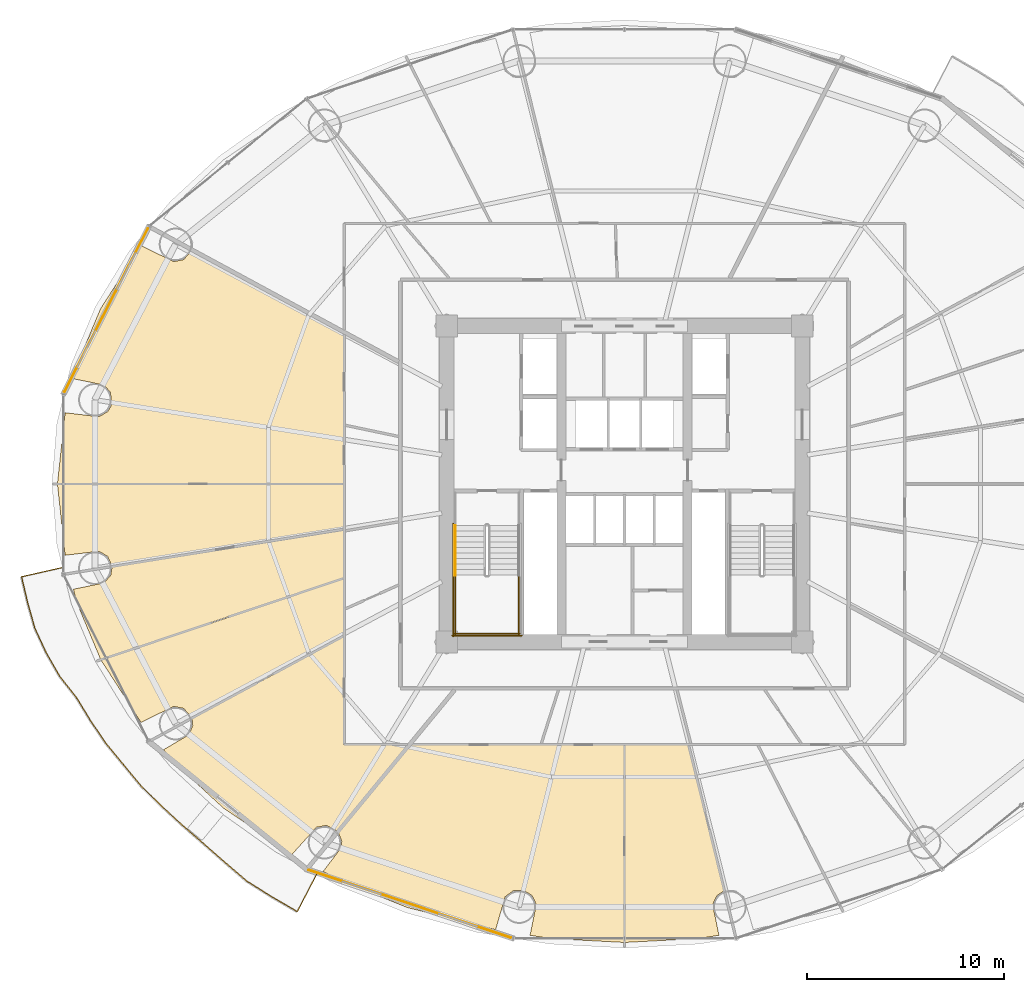
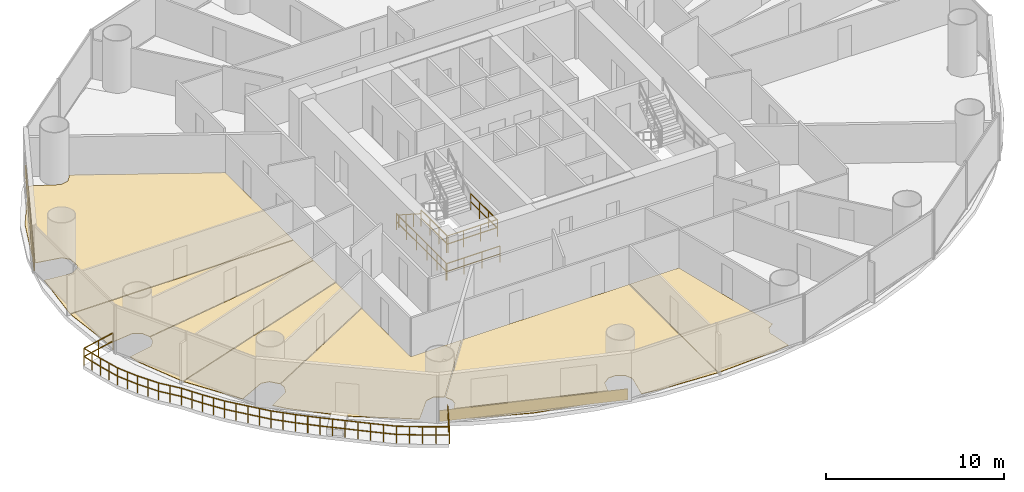
# One storey, part 26 of 29: 9 coverings, 7 railings.
"""IFC4 building model written with IfcOpenShell, lengths in metres."""

from ifc_helpers import new_model, si_unit, direction, frame, origin, origin_2d, place, context, subcontext, project, spatial, polyline, rectangle, outline, extrude, source, transform, mapped, material, layer, layer_set, type_object, element, save


model = new_model("IFC4")

# Units and contexts
model_context = context("Model", 3, precision=1e-05, world=origin(), true_north=direction((-0.2419218956, 0.970295726276)))
body_context = subcontext(model_context, "Body", "Model", "MODEL_VIEW")
ifc_project = project(units=[si_unit("LENGTHUNIT", "METRE"), si_unit("AREAUNIT", "SQUARE_METRE"), si_unit("VOLUMEUNIT", "CUBIC_METRE"), si_unit("PLANEANGLEUNIT", "RADIAN"), si_unit("MASSUNIT", "GRAM", prefix="KILO")], contexts=[model_context])

# Site, building, storey
site_placement = place(None, origin())
site = spatial("IfcSite", under=ifc_project, at=site_placement, CompositionType="ELEMENT")
building_placement = place(site_placement, origin())
building = spatial("IfcBuilding", under=site, at=building_placement, Name="Cobrevalo Terracotta Tower", CompositionType="ELEMENT")
storey_placement = place(building_placement, frame((0.0, 0.0, 45.60009765625)))
storey = spatial("IfcBuildingStorey", under=building, at=storey_placement, Name="L11", CompositionType="ELEMENT", Elevation=45.60009765625)

# Railing
ifc_material_1 = material(Name="Laminated structural glass and stainless steel", Category="steel")
railing_type_1 = type_object("IfcRailingType", Name="Balcony lobe structural glass & terracotta-cap balustrade 1180 mm", PredefinedType="BALUSTRADE", material=ifc_material_1)
railing_1_placement = place(storey_placement, frame((9.62109375, 22.5888671875, 0.0)))
element("IfcRailing", 1, at=railing_1_placement, inside=storey, type_object=railing_type_1, Name="L11 spiralling balcony lobe balustrade 2", PredefinedType="BALUSTRADE", context=body_context, shape_type="SweptSolid", body=[
    extrude(rectangle(XDim=0.048095703125, YDim=0.048095703125, at=origin_2d()), frame((0.0, 0.0, 1.15576171875), z_axis=(-0.975433352205, -0.220294746662, 0.0), x_axis=(0.220294746662, -0.975433352205, 0.0)), (0.0, 0.0, 1.0), 2.212158203125),
    extrude(rectangle(XDim=0.048095703125, YDim=0.048095703125, at=origin_2d()), frame((0.0, 0.0, 0.58984375), z_axis=(-0.975433352205, -0.220294746662, 0.0), x_axis=(0.220294746662, -0.975433352205, 0.0)), (0.0, 0.0, 1.0), 2.212158203125),
    extrude(rectangle(XDim=0.048095703125, YDim=0.048095703125, at=origin_2d()), frame((-2.15771484375, -0.4873046875, 1.15576171875), z_axis=(0.229059503109, -0.973412422376, 0.0), x_axis=(0.973412422376, 0.229059503109, 0.0)), (0.0, 0.0, 1.0), 1.349365234375),
    extrude(rectangle(XDim=0.048095703125, YDim=0.048095703125, at=origin_2d()), frame((-2.15771484375, -0.4873046875, 0.58984375), z_axis=(0.229059503109, -0.973412422376, 0.0), x_axis=(0.973412422376, 0.229059503109, 0.0)), (0.0, 0.0, 1.0), 1.349365234375),
    extrude(rectangle(XDim=0.048095703125, YDim=0.048095703125, at=origin_2d()), frame((-1.8486328125, -1.80078125, 1.15576171875), z_axis=(0.271413110138, -0.962462946635, 0.0), x_axis=(0.962462946635, 0.271413110138, 0.0)), (0.0, 0.0, 1.0), 1.35546875),
    extrude(rectangle(XDim=0.048095703125, YDim=0.048095703125, at=origin_2d()), frame((-1.8486328125, -1.80078125, 0.58984375), z_axis=(0.271413110138, -0.962462946635, 0.0), x_axis=(0.962462946635, 0.271413110138, 0.0)), (0.0, 0.0, 1.0), 1.35546875),
    extrude(rectangle(XDim=0.048095703125, YDim=0.048095703125, at=origin_2d()), frame((-1.480712890625, -3.10546875, 1.15576171875), z_axis=(0.420707968198, -0.907196122949, 0.0), x_axis=(0.907196122949, 0.420707968198, 0.0)), (0.0, 0.0, 1.0), 1.36962890625),
    extrude(rectangle(XDim=0.048095703125, YDim=0.048095703125, at=origin_2d()), frame((-1.480712890625, -3.10546875, 0.58984375), z_axis=(0.420707968198, -0.907196122949, 0.0), x_axis=(0.907196122949, 0.420707968198, 0.0)), (0.0, 0.0, 1.0), 1.36962890625),
    extrude(rectangle(XDim=0.048095703125, YDim=0.048095703125, at=origin_2d()), frame((-0.904541015625, -4.347900390625, 1.15576171875), z_axis=(0.497508153022, -0.8674593003, 0.0), x_axis=(0.8674593003, 0.497508153022, 0.0)), (0.0, 0.0, 1.0), 1.36279296875),
    extrude(rectangle(XDim=0.048095703125, YDim=0.048095703125, at=origin_2d()), frame((-0.904541015625, -4.347900390625, 0.58984375), z_axis=(0.497508153022, -0.8674593003, 0.0), x_axis=(0.8674593003, 0.497508153022, 0.0)), (0.0, 0.0, 1.0), 1.36279296875),
    extrude(rectangle(XDim=0.048095703125, YDim=0.048095703125, at=origin_2d()), frame((-0.2265625, -5.530029296875, 1.15576171875), z_axis=(0.618698087713, -0.785628841286, 0.0), x_axis=(0.785628841286, 0.618698087713, 0.0)), (0.0, 0.0, 1.0), 1.389404296875),
    extrude(rectangle(XDim=0.048095703125, YDim=0.048095703125, at=origin_2d()), frame((-0.2265625, -5.530029296875, 0.58984375), z_axis=(0.618698087713, -0.785628841286, 0.0), x_axis=(0.785628841286, 0.618698087713, 0.0)), (0.0, 0.0, 1.0), 1.389404296875),
    extrude(rectangle(XDim=0.048095703125, YDim=0.048095703125, at=origin_2d()), frame((0.633056640625, -6.62158203125, 1.15576171875), z_axis=(0.520553410225, -0.853829108841, 0.0), x_axis=(0.853829108841, 0.520553410225, 0.0)), (0.0, 0.0, 1.0), 1.3662109375),
    extrude(rectangle(XDim=0.048095703125, YDim=0.048095703125, at=origin_2d()), frame((0.633056640625, -6.62158203125, 0.58984375), z_axis=(0.520553410225, -0.853829108841, 0.0), x_axis=(0.853829108841, 0.520553410225, 0.0)), (0.0, 0.0, 1.0), 1.3662109375),
    extrude(rectangle(XDim=0.048095703125, YDim=0.048095703125, at=origin_2d()), frame((1.34423828125, -7.7880859375, 1.15576171875), z_axis=(0.560435011045, -0.828198405211, 0.0), x_axis=(0.828198405211, 0.560435011045, 0.0)), (0.0, 0.0, 1.0), 1.372314453125),
    extrude(rectangle(XDim=0.048095703125, YDim=0.048095703125, at=origin_2d()), frame((1.34423828125, -7.7880859375, 0.58984375), z_axis=(0.560435011045, -0.828198405211, 0.0), x_axis=(0.828198405211, 0.560435011045, 0.0)), (0.0, 0.0, 1.0), 1.372314453125),
    extrude(rectangle(XDim=0.048095703125, YDim=0.048095703125, at=origin_2d()), frame((2.11328125, -8.924560546875, 1.15576171875), z_axis=(0.635198172723, -0.772349196523, 0.0), x_axis=(0.772349196523, 0.635198172723, 0.0)), (0.0, 0.0, 1.0), 1.3955078125),
    extrude(rectangle(XDim=0.048095703125, YDim=0.048095703125, at=origin_2d()), frame((2.11328125, -8.924560546875, 0.58984375), z_axis=(0.635198172723, -0.772349196523, 0.0), x_axis=(0.772349196523, 0.635198172723, 0.0)), (0.0, 0.0, 1.0), 1.3955078125),
    extrude(rectangle(XDim=0.048095703125, YDim=0.048095703125, at=origin_2d()), frame((2.999755859375, -10.00244140625, 1.15576171875), z_axis=(0.638148464298, -0.769913331171, 0.0), x_axis=(0.769913331171, 0.638148464298, 0.0)), (0.0, 0.0, 1.0), 1.393310546875),
    extrude(rectangle(XDim=0.048095703125, YDim=0.048095703125, at=origin_2d()), frame((2.999755859375, -10.00244140625, 0.58984375), z_axis=(0.638148464298, -0.769913331171, 0.0), x_axis=(0.769913331171, 0.638148464298, 0.0)), (0.0, 0.0, 1.0), 1.393310546875),
    extrude(rectangle(XDim=0.048095703125, YDim=0.048095703125, at=origin_2d()), frame((3.888916015625, -11.0751953125, 1.15576171875), z_axis=(0.712599955772, -0.701570597327, 0.0), x_axis=(0.701570597327, 0.712599955772, 0.0)), (0.0, 0.0, 1.0), 1.416748046875),
    extrude(rectangle(XDim=0.048095703125, YDim=0.048095703125, at=origin_2d()), frame((3.888916015625, -11.0751953125, 0.58984375), z_axis=(0.712599955772, -0.701570597327, 0.0), x_axis=(0.701570597327, 0.712599955772, 0.0)), (0.0, 0.0, 1.0), 1.416748046875),
    extrude(rectangle(XDim=0.048095703125, YDim=0.048095703125, at=origin_2d()), frame((4.8984375, -12.069091796875, 1.15576171875), z_axis=(0.734803444627, -0.678280102733, 0.0), x_axis=(0.678280102733, 0.734803444627, 0.0)), (0.0, 0.0, 1.0), 1.42529296875),
    extrude(rectangle(XDim=0.048095703125, YDim=0.048095703125, at=origin_2d()), frame((4.8984375, -12.069091796875, 0.58984375), z_axis=(0.734803444627, -0.678280102733, 0.0), x_axis=(0.678280102733, 0.734803444627, 0.0)), (0.0, 0.0, 1.0), 1.42529296875),
    extrude(rectangle(XDim=0.048095703125, YDim=0.048095703125, at=origin_2d()), frame((5.94580078125, -13.035888671875, 1.15576171875), z_axis=(0.754425316772, -0.656385893673, 0.0), x_axis=(0.656385893673, 0.754425316772, 0.0)), (0.0, 0.0, 1.0), 1.429443359375),
    extrude(rectangle(XDim=0.048095703125, YDim=0.048095703125, at=origin_2d()), frame((5.94580078125, -13.035888671875, 0.58984375), z_axis=(0.754425316772, -0.656385893673, 0.0), x_axis=(0.656385893673, 0.754425316772, 0.0)), (0.0, 0.0, 1.0), 1.429443359375),
    extrude(rectangle(XDim=0.048095703125, YDim=0.048095703125, at=origin_2d()), frame((7.024169921875, -13.97412109375, 1.15576171875), z_axis=(0.752865784172, -0.658174073497, 0.0), x_axis=(0.658174073497, 0.752865784172, 0.0)), (0.0, 0.0, 1.0), 1.46435546875),
    extrude(rectangle(XDim=0.048095703125, YDim=0.048095703125, at=origin_2d()), frame((7.024169921875, -13.97412109375, 0.58984375), z_axis=(0.752865784172, -0.658174073497, 0.0), x_axis=(0.658174073497, 0.752865784172, 0.0)), (0.0, 0.0, 1.0), 1.46435546875),
    extrude(rectangle(XDim=0.048095703125, YDim=0.048095703125, at=origin_2d()), frame((8.126708984375, -14.93798828125, 1.15576171875), z_axis=(0.758999525794, -0.651091176292, 0.0), x_axis=(0.651091176292, 0.758999525794, 0.0)), (0.0, 0.0, 1.0), 1.47509765625),
    extrude(rectangle(XDim=0.048095703125, YDim=0.048095703125, at=origin_2d()), frame((8.126708984375, -14.93798828125, 0.58984375), z_axis=(0.758999525794, -0.651091176292, 0.0), x_axis=(0.651091176292, 0.758999525794, 0.0)), (0.0, 0.0, 1.0), 1.47509765625),
    extrude(rectangle(XDim=0.048095703125, YDim=0.048095703125, at=origin_2d()), frame((9.246337890625, -15.8984375, 1.15576171875), z_axis=(0.846659769361, -0.532134602281, 0.0), x_axis=(0.532134602281, 0.846659769361, 0.0)), (0.0, 0.0, 1.0), 1.48876953125),
    extrude(rectangle(XDim=0.048095703125, YDim=0.048095703125, at=origin_2d()), frame((9.246337890625, -15.8984375, 0.58984375), z_axis=(0.846659769361, -0.532134602281, 0.0), x_axis=(0.532134602281, 0.846659769361, 0.0)), (0.0, 0.0, 1.0), 1.48876953125),
    extrude(rectangle(XDim=0.048095703125, YDim=0.048095703125, at=origin_2d()), frame((10.5068359375, -16.690673828125, 1.15576171875), z_axis=(0.864520318382, -0.502597870175, 0.0), x_axis=(0.502597870175, 0.864520318382, 0.0)), (0.0, 0.0, 1.0), 1.5029296875),
    extrude(rectangle(XDim=0.048095703125, YDim=0.048095703125, at=origin_2d()), frame((10.5068359375, -16.690673828125, 0.58984375), z_axis=(0.864520318382, -0.502597870175, 0.0), x_axis=(0.502597870175, 0.864520318382, 0.0)), (0.0, 0.0, 1.0), 1.5029296875),
    extrude(rectangle(XDim=0.048095703125, YDim=0.048095703125, at=origin_2d()), frame((11.80615234375, -17.446044921875, 1.15576171875), z_axis=(0.46090338735, 0.887450318344, 0.0), x_axis=(-0.887450318344, 0.46090338735, 0.0)), (0.0, 0.0, 1.0), 2.22412109375),
    extrude(rectangle(XDim=0.048095703125, YDim=0.048095703125, at=origin_2d()), frame((11.80615234375, -17.446044921875, 0.58984375), z_axis=(0.46090338735, 0.887450318344, 0.0), x_axis=(-0.887450318344, 0.46090338735, 0.0)), (0.0, 0.0, 1.0), 2.22412109375),
    extrude(rectangle(XDim=0.0419921875, YDim=0.0419921875, at=origin_2d()), origin(), (0.0, 0.0, 1.0), 1.1318359375),
    extrude(rectangle(XDim=0.0419921875, YDim=0.0419921875, at=origin_2d()), frame((-1.078857421875, -0.24365234375, 0.0)), (0.0, 0.0, 1.0), 1.1318359375),
    extrude(rectangle(XDim=0.0419921875, YDim=0.0419921875, at=origin_2d()), frame((-2.15771484375, -0.4873046875, 0.0)), (0.0, 0.0, 1.0), 1.1318359375),
    extrude(rectangle(XDim=0.0419921875, YDim=0.0419921875, at=origin_2d()), frame((-2.003173828125, -1.14404296875, 0.0)), (0.0, 0.0, 1.0), 1.1318359375),
    extrude(rectangle(XDim=0.0419921875, YDim=0.0419921875, at=origin_2d()), frame((-1.8486328125, -1.80078125, 0.0)), (0.0, 0.0, 1.0), 1.1318359375),
    extrude(rectangle(XDim=0.0419921875, YDim=0.0419921875, at=origin_2d()), frame((-1.66455078125, -2.453125, 0.0)), (0.0, 0.0, 1.0), 1.1318359375),
    extrude(rectangle(XDim=0.0419921875, YDim=0.0419921875, at=origin_2d()), frame((-1.480712890625, -3.10546875, 0.0)), (0.0, 0.0, 1.0), 1.1318359375),
    extrude(rectangle(XDim=0.0419921875, YDim=0.0419921875, at=origin_2d()), frame((-1.192626953125, -3.7265625, 0.0)), (0.0, 0.0, 1.0), 1.1318359375),
    extrude(rectangle(XDim=0.0419921875, YDim=0.0419921875, at=origin_2d()), frame((-0.904541015625, -4.347900390625, 0.0)), (0.0, 0.0, 1.0), 1.1318359375),
    extrude(rectangle(XDim=0.0419921875, YDim=0.0419921875, at=origin_2d()), frame((-0.5654296875, -4.93896484375, 0.0)), (0.0, 0.0, 1.0), 1.1318359375),
    extrude(rectangle(XDim=0.0419921875, YDim=0.0419921875, at=origin_2d()), frame((-0.2265625, -5.530029296875, 0.0)), (0.0, 0.0, 1.0), 1.1318359375),
    extrude(rectangle(XDim=0.0419921875, YDim=0.0419921875, at=origin_2d()), frame((0.203125, -6.07568359375, 0.0)), (0.0, 0.0, 1.0), 1.1318359375),
    extrude(rectangle(XDim=0.0419921875, YDim=0.0419921875, at=origin_2d()), frame((0.633056640625, -6.62158203125, 0.0)), (0.0, 0.0, 1.0), 1.1318359375),
    extrude(rectangle(XDim=0.0419921875, YDim=0.0419921875, at=origin_2d()), frame((0.98876953125, -7.204833984375, 0.0)), (0.0, 0.0, 1.0), 1.1318359375),
    extrude(rectangle(XDim=0.0419921875, YDim=0.0419921875, at=origin_2d()), frame((1.34423828125, -7.7880859375, 0.0)), (0.0, 0.0, 1.0), 1.1318359375),
    extrude(rectangle(XDim=0.0419921875, YDim=0.0419921875, at=origin_2d()), frame((1.728759765625, -8.3564453125, 0.0)), (0.0, 0.0, 1.0), 1.1318359375),
    extrude(rectangle(XDim=0.0419921875, YDim=0.0419921875, at=origin_2d()), frame((2.11328125, -8.924560546875, 0.0)), (0.0, 0.0, 1.0), 1.1318359375),
    extrude(rectangle(XDim=0.0419921875, YDim=0.0419921875, at=origin_2d()), frame((2.556640625, -9.46337890625, 0.0)), (0.0, 0.0, 1.0), 1.1318359375),
    extrude(rectangle(XDim=0.0419921875, YDim=0.0419921875, at=origin_2d()), frame((2.999755859375, -10.00244140625, 0.0)), (0.0, 0.0, 1.0), 1.1318359375),
    extrude(rectangle(XDim=0.0419921875, YDim=0.0419921875, at=origin_2d()), frame((3.4443359375, -10.538818359375, 0.0)), (0.0, 0.0, 1.0), 1.1318359375),
    extrude(rectangle(XDim=0.0419921875, YDim=0.0419921875, at=origin_2d()), frame((3.888916015625, -11.0751953125, 0.0)), (0.0, 0.0, 1.0), 1.1318359375),
    extrude(rectangle(XDim=0.0419921875, YDim=0.0419921875, at=origin_2d()), frame((4.3935546875, -11.572265625, 0.0)), (0.0, 0.0, 1.0), 1.1318359375),
    extrude(rectangle(XDim=0.0419921875, YDim=0.0419921875, at=origin_2d()), frame((4.8984375, -12.069091796875, 0.0)), (0.0, 0.0, 1.0), 1.1318359375),
    extrude(rectangle(XDim=0.0419921875, YDim=0.0419921875, at=origin_2d()), frame((5.422119140625, -12.552490234375, 0.0)), (0.0, 0.0, 1.0), 1.1318359375),
    extrude(rectangle(XDim=0.0419921875, YDim=0.0419921875, at=origin_2d()), frame((5.94580078125, -13.035888671875, 0.0)), (0.0, 0.0, 1.0), 1.1318359375),
    extrude(rectangle(XDim=0.0419921875, YDim=0.0419921875, at=origin_2d()), frame((6.48486328125, -13.5048828125, 0.0)), (0.0, 0.0, 1.0), 1.1318359375),
    extrude(rectangle(XDim=0.0419921875, YDim=0.0419921875, at=origin_2d()), frame((7.024169921875, -13.97412109375, 0.0)), (0.0, 0.0, 1.0), 1.1318359375),
    extrude(rectangle(XDim=0.0419921875, YDim=0.0419921875, at=origin_2d()), frame((7.575439453125, -14.4560546875, 0.0)), (0.0, 0.0, 1.0), 1.1318359375),
    extrude(rectangle(XDim=0.0419921875, YDim=0.0419921875, at=origin_2d()), frame((8.126708984375, -14.93798828125, 0.0)), (0.0, 0.0, 1.0), 1.1318359375),
    extrude(rectangle(XDim=0.0419921875, YDim=0.0419921875, at=origin_2d()), frame((8.6865234375, -15.418212890625, 0.0)), (0.0, 0.0, 1.0), 1.1318359375),
    extrude(rectangle(XDim=0.0419921875, YDim=0.0419921875, at=origin_2d()), frame((9.246337890625, -15.8984375, 0.0)), (0.0, 0.0, 1.0), 1.1318359375),
    extrude(rectangle(XDim=0.0419921875, YDim=0.0419921875, at=origin_2d()), frame((9.87646484375, -16.29443359375, 0.0)), (0.0, 0.0, 1.0), 1.1318359375),
    extrude(rectangle(XDim=0.0419921875, YDim=0.0419921875, at=origin_2d()), frame((10.5068359375, -16.690673828125, 0.0)), (0.0, 0.0, 1.0), 1.1318359375),
    extrude(rectangle(XDim=0.0419921875, YDim=0.0419921875, at=origin_2d()), frame((11.156494140625, -17.068359375, 0.0)), (0.0, 0.0, 1.0), 1.1318359375),
    extrude(rectangle(XDim=0.0419921875, YDim=0.0419921875, at=origin_2d()), frame((11.80615234375, -17.446044921875, 0.0)), (0.0, 0.0, 1.0), 1.1318359375),
    extrude(rectangle(XDim=0.0419921875, YDim=0.0419921875, at=origin_2d()), frame((12.31884765625, -16.458984375, 0.0)), (0.0, 0.0, 1.0), 1.1318359375),
    extrude(rectangle(XDim=0.0419921875, YDim=0.0419921875, at=origin_2d()), frame((12.831298828125, -15.47216796875, 0.0)), (0.0, 0.0, 1.0), 1.1318359375),
])

# Coverings
ifc_material_2 = material(Name="Engineered Brazilian hardwood flooring", Category="wood")
ifc_layer_1 = layer(ifc_material_2, 0.028076171875)
ifc_layer_set_1 = layer_set([ifc_layer_1], Name="Engineered Brazilian hardwood flooring")
covering_type_1 = type_object("IfcCoveringType", Name="Engineered Hardwood Suite Flooring 28", PredefinedType="FLOORING", material=ifc_layer_set_1)
covering_1_placement = place(storey_placement, origin())
element("IfcCovering", 2, at=covering_1_placement, inside=storey, type_object=covering_type_1, Name="Flat L11C Penthouse Living and Dining Room floor finish", PredefinedType="FLOORING", context=body_context, shape_type="SweptSolid", body=[
    extrude(outline(polyline([(9.668701171875, 30.4111328125), (11.380615234375, 30.206787109375), (11.821533203125, 30.465087890625), (12.0009765625, 30.757568359375), (11.974853515625, 31.4306640625), (11.6357421875, 31.81298828125), (10.090576171875, 32.126220703125), (10.25830078125, 32.80859375), (11.465576171875, 35.684326171875), (13.511962890625, 38.87451171875), (15.173583984375, 38.063232421875), (15.674560546875, 38.163330078125), (16.084716796875, 38.643310546875), (23.784912109375, 34.47412109375), (23.784912109375, 26.820068359375), (9.28173828125, 26.820068359375), (9.668701171875, 30.4111328125)])), origin(), (0.0, 0.0, 1.0), 0.02978515625),
])
covering_2_placement = place(storey_placement, origin())
element("IfcCovering", 3, at=covering_2_placement, inside=storey, type_object=covering_type_1, Name="Flat L11C Master Bedroom floor finish", PredefinedType="FLOORING", context=body_context, shape_type="SweptSolid", body=[
    extrude(outline(polyline([(9.28173828125, 26.780029296875), (23.784912109375, 26.780029296875), (23.784912109375, 24.529052734375), (12.047119140625, 22.636962890625), (11.821533203125, 23.135009765625), (11.380615234375, 23.39306640625), (9.668701171875, 23.18896484375), (9.28173828125, 26.780029296875)])), origin(), (0.0, 0.0, 1.0), 0.02978515625),
])
covering_3_placement = place(storey_placement, origin())
element("IfcCovering", 4, at=covering_3_placement, inside=storey, type_object=covering_type_1, Name="Flat L11C Principal Guest Bedroom floor finish", PredefinedType="FLOORING", context=body_context, shape_type="SweptSolid", body=[
    extrude(outline(polyline([(10.25830078125, 20.791259765625), (10.090576171875, 21.473876953125), (11.6357421875, 21.787109375), (11.974853515625, 22.169189453125), (12.04931640625, 22.596923828125), (23.784912109375, 24.488525390625), (23.784912109375, 22.0498046875), (11.468505859375, 17.91552734375), (10.25830078125, 20.791259765625)])), origin(), (0.0, 0.0, 1.0), 0.02978515625),
])
covering_4_placement = place(storey_placement, origin())
element("IfcCovering", 5, at=covering_4_placement, inside=storey, type_object=covering_type_1, Name="Flat L11C Principal Guest Bedroom floor finish", PredefinedType="FLOORING", context=body_context, shape_type="SweptSolid", body=[
    extrude(outline(polyline([(11.4873046875, 17.8798828125), (23.784912109375, 22.007568359375), (23.784912109375, 19.1259765625), (16.084716796875, 14.95654296875), (15.674560546875, 15.436767578125), (15.173583984375, 15.53662109375), (13.511962890625, 14.7255859375), (11.4873046875, 17.8798828125)])), origin(), (0.0, 0.0, 1.0), 0.02978515625),
])
covering_5_placement = place(storey_placement, origin())
element("IfcCovering", 6, at=covering_5_placement, inside=storey, type_object=covering_type_1, Name="Flat L11C Penthouse Family Lounge floor finish", PredefinedType="FLOORING", context=body_context, shape_type="SweptSolid", body=[
    extrude(outline(polyline([(14.65576171875, 13.341064453125), (15.939208984375, 14.10205078125), (16.135009765625, 14.573974609375), (16.09765625, 14.91796875), (23.784912109375, 19.08056640625), (23.784912109375, 13.5849609375), (27.077392578125, 13.5849609375), (23.468017578125, 9.20751953125), (22.899658203125, 9.50732421875), (22.3974609375, 9.412353515625), (21.156494140625, 8.03271484375), (17.6904296875, 10.38232421875), (15.213623046875, 12.666259765625), (14.65576171875, 13.341064453125)])), origin(), (0.0, 0.0, 1.0), 0.02978515625),
])
covering_6_placement = place(storey_placement, origin())
element("IfcCovering", 7, at=covering_6_placement, inside=storey, type_object=covering_type_1, Name="Flat L11D Penthouse Living and Dining Room floor finish", PredefinedType="FLOORING", context=body_context, shape_type="SweptSolid", body=[
    extrude(outline(polyline([(23.4951171875, 9.177490234375), (27.12939453125, 13.5849609375), (37.97998046875, 13.5849609375), (37.97998046875, 3.5810546875), (34.250732421875, 3.77880859375), (33.21630859375, 3.945068359375), (33.53466796875, 5.500244140625), (33.3154296875, 5.9619140625), (32.876953125, 6.223876953125), (32.36669921875, 6.197998046875), (31.95654296875, 5.89306640625), (31.472412109375, 4.2255859375), (27.008056640625, 5.34814453125), (23.638427734375, 6.691650390625), (22.73681640625, 7.178955078125), (23.64501953125, 8.369140625), (23.681884765625, 8.71044921875), (23.4951171875, 9.177490234375)])), origin(), (0.0, 0.0, 1.0), 0.02978515625),
])
covering_7_placement = place(storey_placement, origin())
element("IfcCovering", 8, at=covering_7_placement, inside=storey, type_object=covering_type_1, Name="Flat L11D Master Bedroom floor finish", PredefinedType="FLOORING", context=body_context, shape_type="SweptSolid", body=[
    extrude(outline(polyline([(38.02001953125, 3.5810546875), (38.02001953125, 13.5849609375), (41.22314453125, 13.5849609375), (43.03759765625, 6.193359375), (42.6845703125, 5.9619140625), (42.46533203125, 5.500244140625), (42.78369140625, 3.945068359375), (41.749267578125, 3.77880859375), (38.02001953125, 3.5810546875)])), origin(), (0.0, 0.0, 1.0), 0.02978515625),
])

# Railings
ifc_material_3 = material(Name="Brushed stainless steel", Category="steel")
railing_type_2 = type_object("IfcRailingType", Name="Stainless Steel Stair Handrail 900", PredefinedType="HANDRAIL", material=ifc_material_3)
railing_2_placement = place(storey_placement, frame((29.425048828125, 24.699951171875, 0.179931640625)))
element("IfcRailing", 9, at=railing_2_placement, inside=storey, type_object=railing_type_2, Name="L11 ST-1 stair handrail 1", PredefinedType="HANDRAIL", context=body_context, shape_type="SweptSolid", body=[
    extrude(rectangle(XDim=0.048095703125, YDim=0.048095703125, at=origin_2d()), frame((0.0, 0.0, 0.8759765625), z_axis=(0.0, -0.841199657755, 0.540724639528), x_axis=(1.0, 0.0, 0.0)), (0.0, 0.0, 1.0), 2.995849609375),
    extrude(rectangle(XDim=0.0419921875, YDim=0.0419921875, at=origin_2d()), origin(), (0.0, 0.0, 1.0), 0.851806640625),
    extrude(rectangle(XDim=0.0419921875, YDim=0.0419921875, at=origin_2d()), frame((0.0, -0.840087890625, 0.5400390625)), (0.0, 0.0, 1.0), 0.851806640625),
    extrude(rectangle(XDim=0.0419921875, YDim=0.0419921875, at=origin_2d()), frame((0.0, -1.679931640625, 1.079833984375)), (0.0, 0.0, 1.0), 0.851806640625),
    extrude(rectangle(XDim=0.0419921875, YDim=0.0419921875, at=origin_2d()), frame((0.0, -2.52001953125, 1.619873046875)), (0.0, 0.0, 1.0), 0.851806640625),
])
ifc_material_4 = material(Name="Painted galvanized steel", Category="steel")
railing_type_3 = type_object("IfcRailingType", Name="Stair Well Guard Balustrade 1150", PredefinedType="GUARDRAIL", material=ifc_material_4)
for number, where, name in (
    (10, (29.425048828125, 22.179931640625, 1.7998046875), "L11 ST-1 stair guard 3"),
    (11, (32.64501953125, 22.179931640625, 1.7998046875), "L11 ST-1 stair guard 4"),
):
    element("IfcRailing", number, at=place(storey_placement, frame(where)), inside=storey, type_object=railing_type_3, Name=name, PredefinedType="GUARDRAIL", context=body_context, shape_type="SweptSolid", body=[
        extrude(rectangle(XDim=0.048095703125, YDim=0.048095703125, at=origin_2d()), frame((0.0, 0.0, 1.1259765625), z_axis=(0.0, -1.0, 0.0), x_axis=(1.0, 0.0, 0.0)), (0.0, 0.0, 1.0), 3.0048828125),
        extrude(rectangle(XDim=0.048095703125, YDim=0.048095703125, at=origin_2d()), frame((0.0, 0.0, 0.574951171875), z_axis=(0.0, -1.0, 0.0), x_axis=(1.0, 0.0, 0.0)), (0.0, 0.0, 1.0), 3.0048828125),
        extrude(rectangle(XDim=0.0419921875, YDim=0.0419921875, at=origin_2d()), origin(), (0.0, 0.0, 1.0), 1.101806640625),
        extrude(rectangle(XDim=0.0419921875, YDim=0.0419921875, at=origin_2d()), frame((0.0, -1.001708984375, 0.0)), (0.0, 0.0, 1.0), 1.101806640625),
        extrude(rectangle(XDim=0.0419921875, YDim=0.0419921875, at=origin_2d()), frame((0.0, -2.003173828125, 0.0)), (0.0, 0.0, 1.0), 1.101806640625),
        extrude(rectangle(XDim=0.0419921875, YDim=0.0419921875, at=origin_2d()), frame((0.0, -3.0048828125, 0.0)), (0.0, 0.0, 1.0), 1.101806640625),
    ])
railing_3_placement = place(storey_placement, frame((29.375, 19.22509765625, 1.7998046875)))
element("IfcRailing", 12, at=railing_3_placement, inside=storey, type_object=railing_type_3, Name="L11 ST-1 stair guard 5", PredefinedType="GUARDRAIL", context=body_context, shape_type="SweptSolid", body=[
    extrude(rectangle(XDim=0.048095703125, YDim=0.048095703125, at=origin_2d()), frame((0.0, 0.0, 1.1259765625), z_axis=(1.0, 0.0, 0.0), x_axis=(0.0, 1.0, 0.0)), (0.0, 0.0, 1.0), 3.320068359375),
    extrude(rectangle(XDim=0.048095703125, YDim=0.048095703125, at=origin_2d()), frame((0.0, 0.0, 0.574951171875), z_axis=(1.0, 0.0, 0.0), x_axis=(0.0, 1.0, 0.0)), (0.0, 0.0, 1.0), 3.320068359375),
    extrude(rectangle(XDim=0.0419921875, YDim=0.0419921875, at=origin_2d()), origin(), (0.0, 0.0, 1.0), 1.101806640625),
    extrude(rectangle(XDim=0.0419921875, YDim=0.0419921875, at=origin_2d()), frame((1.106689453125, 0.0, 0.0)), (0.0, 0.0, 1.0), 1.101806640625),
    extrude(rectangle(XDim=0.0419921875, YDim=0.0419921875, at=origin_2d()), frame((2.21337890625, 0.0, 0.0)), (0.0, 0.0, 1.0), 1.101806640625),
    extrude(rectangle(XDim=0.0419921875, YDim=0.0419921875, at=origin_2d()), frame((3.320068359375, 0.0, 0.0)), (0.0, 0.0, 1.0), 1.101806640625),
])
railing_4_placement = place(storey_placement, frame((29.324951171875, 24.800048828125, 0.0)))
element("IfcRailing", 13, at=railing_4_placement, inside=storey, type_object=railing_type_3, Name="L11 ST-1 stair guard 10", PredefinedType="GUARDRAIL", context=body_context, shape_type="SweptSolid", body=[
    extrude(rectangle(XDim=0.048095703125, YDim=0.048095703125, at=origin_2d()), frame((0.0, 0.0, 1.1259765625), z_axis=(0.0, -1.0, 0.0), x_axis=(1.0, 0.0, 0.0)), (0.0, 0.0, 1.0), 5.72509765625),
    extrude(rectangle(XDim=0.048095703125, YDim=0.048095703125, at=origin_2d()), frame((0.0, 0.0, 0.574951171875), z_axis=(0.0, -1.0, 0.0), x_axis=(1.0, 0.0, 0.0)), (0.0, 0.0, 1.0), 5.72509765625),
    extrude(rectangle(XDim=0.0419921875, YDim=0.0419921875, at=origin_2d()), origin(), (0.0, 0.0, 1.0), 1.101806640625),
    extrude(rectangle(XDim=0.0419921875, YDim=0.0419921875, at=origin_2d()), frame((0.0, -1.14501953125, 0.0)), (0.0, 0.0, 1.0), 1.101806640625),
    extrude(rectangle(XDim=0.0419921875, YDim=0.0419921875, at=origin_2d()), frame((0.0, -2.2900390625, 0.0)), (0.0, 0.0, 1.0), 1.101806640625),
    extrude(rectangle(XDim=0.0419921875, YDim=0.0419921875, at=origin_2d()), frame((0.0, -3.43505859375, 0.0)), (0.0, 0.0, 1.0), 1.101806640625),
    extrude(rectangle(XDim=0.0419921875, YDim=0.0419921875, at=origin_2d()), frame((0.0, -4.580078125, 0.0)), (0.0, 0.0, 1.0), 1.101806640625),
    extrude(rectangle(XDim=0.0419921875, YDim=0.0419921875, at=origin_2d()), frame((0.0, -5.72509765625, 0.0)), (0.0, 0.0, 1.0), 1.101806640625),
])
railing_5_placement = place(storey_placement, frame((29.27490234375, 19.125, 0.0)))
element("IfcRailing", 14, at=railing_5_placement, inside=storey, type_object=railing_type_3, Name="L11 ST-1 stair guard 12", PredefinedType="GUARDRAIL", context=body_context, shape_type="SweptSolid", body=[
    extrude(rectangle(XDim=0.048095703125, YDim=0.048095703125, at=origin_2d()), frame((0.0, 0.0, 1.1259765625), z_axis=(1.0, 0.0, 0.0), x_axis=(0.0, 1.0, 0.0)), (0.0, 0.0, 1.0), 3.52001953125),
    extrude(rectangle(XDim=0.048095703125, YDim=0.048095703125, at=origin_2d()), frame((0.0, 0.0, 0.574951171875), z_axis=(1.0, 0.0, 0.0), x_axis=(0.0, 1.0, 0.0)), (0.0, 0.0, 1.0), 3.52001953125),
    extrude(rectangle(XDim=0.0419921875, YDim=0.0419921875, at=origin_2d()), origin(), (0.0, 0.0, 1.0), 1.101806640625),
    extrude(rectangle(XDim=0.0419921875, YDim=0.0419921875, at=origin_2d()), frame((1.17333984375, 0.0, 0.0)), (0.0, 0.0, 1.0), 1.101806640625),
    extrude(rectangle(XDim=0.0419921875, YDim=0.0419921875, at=origin_2d()), frame((2.3466796875, 0.0, 0.0)), (0.0, 0.0, 1.0), 1.101806640625),
    extrude(rectangle(XDim=0.0419921875, YDim=0.0419921875, at=origin_2d()), frame((3.52001953125, 0.0, 0.0)), (0.0, 0.0, 1.0), 1.101806640625),
])

# Coverings
ifc_material_5 = material(Name="Glazed terracotta facade cladding tile", Category="masonry")
ifc_layer_2 = layer(ifc_material_5, 0.044921875)
ifc_layer_set_2 = layer_set([ifc_layer_2], Name="Glazed terracotta facade cladding tile")
covering_type_2 = type_object("IfcCoveringType", Name="Architectural terracotta rainscreen spandrel cladding 45 mm", PredefinedType="CLADDING", material=ifc_layer_set_2)
shared_shape_1 = source(origin(), body_context, "Body", "SweptSolid", [
    extrude(rectangle(XDim=9.30224609375, YDim=0.044921875, at=origin_2d()), origin(), (0.0, 0.0, 1.0), 0.760009765625),
])
covering_8_placement = place(storey_placement, frame((11.74951171875, 35.60888671875, 0.0400390625), z_axis=(0.0, 0.0, 1.0), x_axis=(-0.45523102861, -0.890373354605, 0.0)))
element("IfcCovering", 15, at=covering_8_placement, inside=storey, type_object=covering_type_2, Name="L11 terracotta spandrel cladding S07", PredefinedType="CLADDING", context=body_context, shape_type="MappedRepresentation", body=[
    mapped(shared_shape_1, transform((0.0, 0.0, 0.0), scale=1.0)),
])
shared_shape_2 = source(origin(), body_context, "Body", "SweptSolid", [
    extrude(rectangle(XDim=10.8154296875, YDim=0.044921875, at=origin_2d()), origin(), (0.0, 0.0, 1.0), 0.760009765625),
])
covering_9_placement = place(storey_placement, frame((27.126708984375, 5.533203125, 0.0400390625), z_axis=(0.0, 0.0, 1.0), x_axis=(0.948044172593, -0.318138722592, 0.0)))
element("IfcCovering", 16, at=covering_9_placement, inside=storey, type_object=covering_type_2, Name="L11 terracotta spandrel cladding S11", PredefinedType="CLADDING", context=body_context, shape_type="MappedRepresentation", body=[
    mapped(shared_shape_2, transform((0.0, 0.0, 0.0), scale=1.0)),
])

save(model, "model.ifc")
